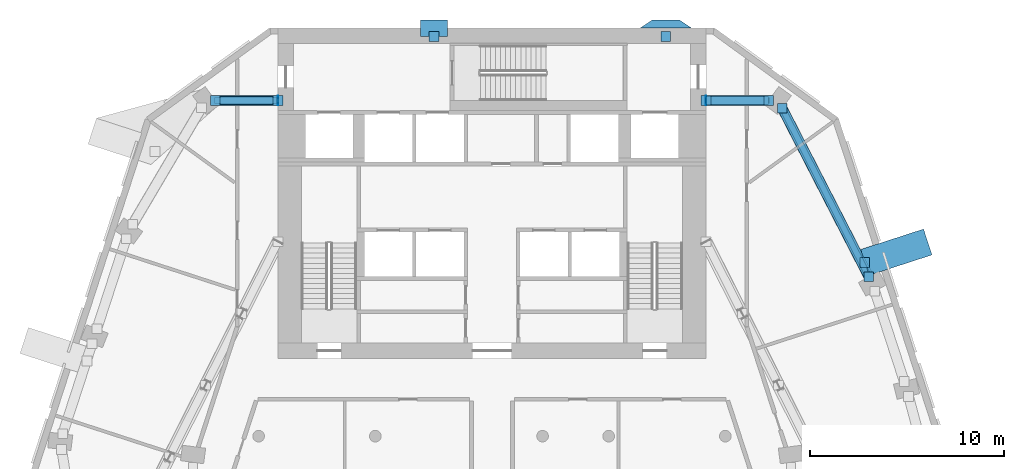
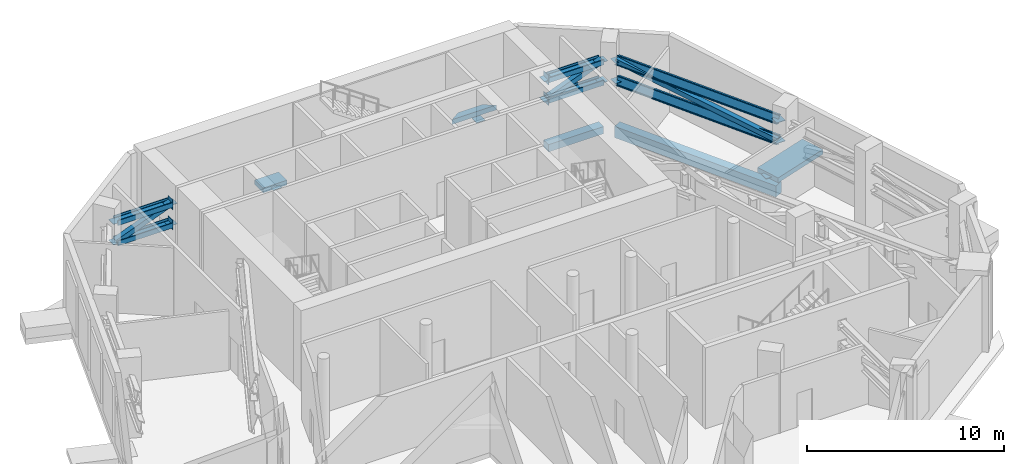
# One storey, part 6 of 16: 19 discrete accessories, 12 members, 2 beams.
"""IFC4 building model written with IfcOpenShell, lengths in metres."""

from ifc_helpers import new_model, si_unit, direction, frame, origin, origin_2d, place, context, subcontext, project, spatial, polyline, rectangle, hollow_rectangle, i_section, outline, extrude, material, layer, layer_set, material_profile, profile_set, type_object, element, aggregate, save


model = new_model("IFC4")

# Units and contexts
model_context = context("Model", 3, precision=1e-05, world=origin(), true_north=direction((0.0, 1.0)))
body_context = subcontext(model_context, "Body", "Model", "MODEL_VIEW")
ifc_project = project(units=[si_unit("LENGTHUNIT", "METRE"), si_unit("AREAUNIT", "SQUARE_METRE"), si_unit("VOLUMEUNIT", "CUBIC_METRE"), si_unit("PLANEANGLEUNIT", "RADIAN"), si_unit("MASSUNIT", "GRAM", prefix="KILO")], contexts=[model_context])

# Site, building, storey
site_placement = place(None, origin())
site = spatial("IfcSite", under=ifc_project, at=site_placement, CompositionType="ELEMENT")
building_placement = place(site_placement, origin())
building = spatial("IfcBuilding", under=site, at=building_placement, Name="White Candle Pilgrim Tower", CompositionType="ELEMENT")
storey_placement = place(building_placement, frame((0.0, 0.0, 243.300048828125)))
storey = spatial("IfcBuildingStorey", under=building, at=storey_placement, Name="L57", CompositionType="ELEMENT", Elevation=243.300048828125)

# Member
ifc_material_1 = material(Name="Steel S355", Category="steel")
ifc_material_profile_1 = material_profile(ifc_material_1, i_section(OverallWidth=0.305908203125, OverallDepth=0.52392578125, WebThickness=0.02099609375, FlangeThickness=0.0400390625, FilletRadius=0.027099609375, at=origin_2d()), Name="HEM 500")
ifc_profile_set_1 = profile_set([ifc_material_profile_1], Name="Steel S355")
member_type_1 = type_object("IfcMemberType", Name="Belt truss chord HEM 500 S355", PredefinedType="CHORD", material=ifc_profile_set_1)
member_1_placement = place(storey_placement, frame((89.377197265625, 75.196044921875, 2.411865234375), z_axis=(-0.457020130081, 0.889456351206, 0.0), x_axis=(0.791138263688, 0.406502367083, -0.457007738759)))
member_1 = element("IfcMember", 1, at=member_1_placement, inside=storey, type_object=member_type_1, Name="L57 belt truss bottom chord 09", PredefinedType="CHORD", context=body_context, shape_type="SweptSolid", body=[
    extrude(i_section(OverallWidth=0.305908203125, OverallDepth=0.52392578125, WebThickness=0.02099609375, FlangeThickness=0.0400390625, FilletRadius=0.027099609375, at=origin_2d()), origin(), (0.0, 0.0, 1.0), 9.7421875),
])

member_2_placement = place(storey_placement, frame((89.377197265625, 75.196044921875, 3.677978515625), z_axis=(-0.457020130081, 0.889456351206, 0.0), x_axis=(0.791138263688, 0.406502367083, -0.457007738759)))
member_2 = element("IfcMember", 2, at=member_2_placement, inside=storey, type_object=member_type_1, Name="L57 belt truss top chord 09", PredefinedType="CHORD", context=body_context, shape_type="SweptSolid", body=[
    extrude(i_section(OverallWidth=0.305908203125, OverallDepth=0.52392578125, WebThickness=0.02099609375, FlangeThickness=0.0400390625, FilletRadius=0.027099609375, at=origin_2d()), origin(), (0.0, 0.0, 1.0), 9.7421875),
])

member_3_placement = place(storey_placement, frame((84.2255859375, 84.260009765625, 2.411865234375), z_axis=(-1.0, 0.0, 0.0), x_axis=(0.0, 0.0, -1.0)))
member_3 = element("IfcMember", 3, at=member_3_placement, inside=storey, type_object=member_type_1, Name="L57 belt truss bottom chord 10", PredefinedType="CHORD", context=body_context, shape_type="SweptSolid", body=[
    extrude(i_section(OverallWidth=0.305908203125, OverallDepth=0.52392578125, WebThickness=0.02099609375, FlangeThickness=0.0400390625, FilletRadius=0.027099609375, at=origin_2d()), origin(), (0.0, 0.0, 1.0), 3.2255859375),
])

member_4_placement = place(storey_placement, frame((84.2255859375, 84.260009765625, 3.677978515625), z_axis=(-1.0, 0.0, 0.0), x_axis=(0.0, 0.0, -1.0)))
member_4 = element("IfcMember", 4, at=member_4_placement, inside=storey, type_object=member_type_1, Name="L57 belt truss top chord 10", PredefinedType="CHORD", context=body_context, shape_type="SweptSolid", body=[
    extrude(i_section(OverallWidth=0.305908203125, OverallDepth=0.52392578125, WebThickness=0.02099609375, FlangeThickness=0.0400390625, FilletRadius=0.027099609375, at=origin_2d()), origin(), (0.0, 0.0, 1.0), 3.2255859375),
])

member_5_placement = place(storey_placement, frame((55.7744140625, 84.260009765625, 2.411865234375), z_axis=(1.0, 0.0, 0.0), x_axis=(0.0, 0.0, 1.0)))
member_5 = element("IfcMember", 5, at=member_5_placement, inside=storey, type_object=member_type_1, Name="L57 belt truss bottom chord 11", PredefinedType="CHORD", context=body_context, shape_type="SweptSolid", body=[
    extrude(i_section(OverallWidth=0.305908203125, OverallDepth=0.52392578125, WebThickness=0.02099609375, FlangeThickness=0.0400390625, FilletRadius=0.027099609375, at=origin_2d()), origin(), (0.0, 0.0, 1.0), 3.2255859375),
])

member_6_placement = place(storey_placement, frame((55.7744140625, 84.260009765625, 3.677978515625), z_axis=(1.0, 0.0, 0.0), x_axis=(0.0, 0.0, 1.0)))
member_6 = element("IfcMember", 6, at=member_6_placement, inside=storey, type_object=member_type_1, Name="L57 belt truss top chord 11", PredefinedType="CHORD", context=body_context, shape_type="SweptSolid", body=[
    extrude(i_section(OverallWidth=0.305908203125, OverallDepth=0.52392578125, WebThickness=0.02099609375, FlangeThickness=0.0400390625, FilletRadius=0.027099609375, at=origin_2d()), origin(), (0.0, 0.0, 1.0), 3.2255859375),
])

# Members
ifc_material_profile_2 = material_profile(ifc_material_1, hollow_rectangle(XDim=0.300048828125, YDim=0.300048828125, WallThickness=0.01611328125, at=origin_2d()), Name="SHS 300x300x16")
ifc_profile_set_2 = profile_set([ifc_material_profile_2], Name="Steel S355")
member_type_2 = type_object("IfcMemberType", Name="Belt truss diagonal SHS 300x300x16 S355", PredefinedType="BRACE", material=ifc_profile_set_2)
member_7_placement = place(storey_placement, frame((89.377197265625, 75.196044921875, 2.411865234375), z_axis=(-0.453208814225, 0.882038736814, 0.128877606545), x_axis=(-0.889456351206, -0.457020130081, 0.0)))
element("IfcMember", 7, at=member_7_placement, inside=storey, type_object=member_type_2, Name="L57 belt truss diagonal 09", PredefinedType="BRACE", context=body_context, shape_type="SweptSolid", body=[
    extrude(hollow_rectangle(XDim=0.300048828125, YDim=0.300048828125, WallThickness=0.01611328125, at=origin_2d()), origin(), (0.0, 0.0, 1.0), 9.82421875),
])
for number, where, z_axis, x_axis, name in (
    (8, (84.2255859375, 84.260009765625, 3.677978515625), (-0.930857643427, 0.0, -0.365382057131), (0.0, -1.0, 0.0), "L57 belt truss diagonal 10"),
    (9, (55.7744140625, 84.260009765625, 2.411865234375), (0.930857643427, 0.0, 0.365382057131), (0.0, 1.0, 0.0), "L57 belt truss diagonal 11"),
):
    element("IfcMember", number, at=place(storey_placement, frame(where, z_axis=z_axis, x_axis=x_axis)), inside=storey, type_object=member_type_2, Name=name, PredefinedType="BRACE", context=body_context, shape_type="SweptSolid", body=[
        extrude(hollow_rectangle(XDim=0.300048828125, YDim=0.300048828125, WallThickness=0.01611328125, at=origin_2d()), origin(), (0.0, 0.0, 1.0), 3.465087890625),
    ])

# Member
ifc_material_2 = material(Name="Concrete C70/85, white", Category="concrete")
ifc_layer_1 = layer(ifc_material_2, 0.300048828125)
ifc_layer_set_1 = layer_set([ifc_layer_1], Name="Node tie strut 3400x1400x300 C70/85")
member_type_3 = type_object("IfcMemberType", Name="Node tie strut 3400x1400x300 C70/85", PredefinedType="STRUT", material=ifc_layer_set_1)
member_8_placement = place(storey_placement, frame((90.79150390625, 76.459716796875, -0.30029296875), z_axis=(0.0, 0.0, 1.0), x_axis=(-0.309016994375, 0.951056516295, 0.0)))
member_8 = element("IfcMember", 10, at=member_8_placement, inside=storey, type_object=member_type_3, Name="Node tie strut NC193", PredefinedType="STRUT", context=body_context, shape_type="SweptSolid", body=[
    extrude(rectangle(XDim=1.39990234375, YDim=3.39990234375, at=origin_2d()), origin(), (0.0, 0.0, 1.0), 0.300048828125),
])

ifc_layer_2 = layer(ifc_material_2, 0.300048828125)
ifc_layer_set_2 = layer_set([ifc_layer_2], Name="Node tie strut 850x1400x300 C70/85")
member_type_4 = type_object("IfcMemberType", Name="Node tie strut 850x1400x300 C70/85", PredefinedType="STRUT", material=ifc_layer_set_2)
member_9_placement = place(storey_placement, frame((0.0, 0.0, -0.300048828125)))
member_9 = element("IfcMember", 11, at=member_9_placement, inside=storey, type_object=member_type_4, Name="Node tie strut NC194", PredefinedType="STRUT", context=body_context, shape_type="SweptSolid", body=[
    extrude(outline(polyline([(77.636962890625, 88.0), (80.237060546875, 88.0), (79.636962890625, 88.39990234375), (78.237060546875, 88.39990234375), (77.636962890625, 88.0)])), origin(), (0.0, 0.0, 1.0), 0.300048828125),
])

member_10_placement = place(storey_placement, frame((67.02099609375, 87.97509765625, -0.30029296875), z_axis=(0.0, 0.0, 1.0), x_axis=(-1.0, 0.0, 0.0)))
member_10 = element("IfcMember", 12, at=member_10_placement, inside=storey, type_object=member_type_4, Name="Node tie strut NC195", PredefinedType="STRUT", context=body_context, shape_type="SweptSolid", body=[
    extrude(rectangle(XDim=1.39990234375, YDim=0.85009765625, at=origin_2d()), origin(), (0.0, 0.0, 1.0), 0.300048828125),
])

# Beams
ifc_material_3 = material(Name="Concrete C50/60", Category="concrete")
ifc_material_profile_3 = material_profile(ifc_material_3, rectangle(XDim=0.5, YDim=0.449951171875, at=origin_2d()), Name="RC-BM 500x450")
ifc_profile_set_3 = profile_set([ifc_material_profile_3], Name="Concrete C50/60")
beam_type_1 = type_object("IfcBeamType", Name="Spandrel beam RC-BM 500x450 C50/60", PredefinedType="BEAM", material=ifc_profile_set_3)
beam_1_placement = place(storey_placement, frame((84.2255859375, 84.260009765625, -0.525146484375), z_axis=(-1.0, 0.0, 0.0), x_axis=(0.0, -1.0, 0.0)))
element("IfcBeam", 13, at=beam_1_placement, inside=storey, type_object=beam_type_1, Name="L57 spandrel beam T10", PredefinedType="BEAM", context=body_context, shape_type="SweptSolid", body=[
    extrude(rectangle(XDim=0.5, YDim=0.449951171875, at=origin_2d()), origin(), (0.0, 0.0, 1.0), 3.2255859375),
])
ifc_material_profile_4 = material_profile(ifc_material_3, rectangle(XDim=0.5, YDim=0.699951171875, at=origin_2d()), Name="RC-BM 500x700")
ifc_profile_set_4 = profile_set([ifc_material_profile_4], Name="Concrete C50/60")
beam_type_2 = type_object("IfcBeamType", Name="Spandrel beam RC-BM 500x700 C50/60", PredefinedType="BEAM", material=ifc_profile_set_4)
beam_2_placement = place(storey_placement, frame((89.377197265625, 75.196044921875, -0.650146484375), z_axis=(-0.457020130081, 0.889456351206, 0.0), x_axis=(-0.889456351206, -0.457020130081, 0.0)))
element("IfcBeam", 14, at=beam_2_placement, inside=storey, type_object=beam_type_2, Name="L57 spandrel beam T09", PredefinedType="BEAM", context=body_context, shape_type="SweptSolid", body=[
    extrude(rectangle(XDim=0.5, YDim=0.699951171875, at=origin_2d()), origin(), (0.0, 0.0, 1.0), 9.7421875),
])

# Discrete accessory
ifc_layer_3 = layer(ifc_material_1, 0.030029296875)
ifc_layer_set_3 = layer_set([ifc_layer_3], Name="Cast-in plate 500x600x30 S355")
discrete_accessory_type_1 = type_object("IfcDiscreteAccessoryType", Name="Cast-in plate 500x600x30 S355", PredefinedType="ANCHORPLATE", material=ifc_layer_set_3)
discrete_accessory_1_placement = place(storey_placement, frame((81.0, 84.260009765625, 2.11181640625), z_axis=(0.0, 0.0, 1.0), x_axis=(1.0, 0.0, 0.0)))
discrete_accessory_1 = element("IfcDiscreteAccessory", 15, at=discrete_accessory_1_placement, type_object=discrete_accessory_type_1, Name="Cast-in plate 0029", PredefinedType="ANCHORPLATE", context=body_context, shape_type="SweptSolid", body=[
    extrude(rectangle(XDim=0.030029296875, YDim=0.5, at=origin_2d()), origin(), (0.0, 0.0, 1.0), 0.60009765625),
])

discrete_accessory_2_placement = place(storey_placement, frame((81.0, 84.260009765625, 3.3779296875), z_axis=(0.0, 0.0, 1.0), x_axis=(1.0, 0.0, 0.0)))
discrete_accessory_2 = element("IfcDiscreteAccessory", 16, at=discrete_accessory_2_placement, type_object=discrete_accessory_type_1, Name="Cast-in plate 0030", PredefinedType="ANCHORPLATE", context=body_context, shape_type="SweptSolid", body=[
    extrude(rectangle(XDim=0.030029296875, YDim=0.5, at=origin_2d()), origin(), (0.0, 0.0, 1.0), 0.60009765625),
])

discrete_accessory_3_placement = place(storey_placement, frame((59.0, 84.260009765625, 2.11181640625), z_axis=(0.0, 0.0, 1.0), x_axis=(-1.0, 0.0, 0.0)))
discrete_accessory_3 = element("IfcDiscreteAccessory", 17, at=discrete_accessory_3_placement, type_object=discrete_accessory_type_1, Name="Cast-in plate 0031", PredefinedType="ANCHORPLATE", context=body_context, shape_type="SweptSolid", body=[
    extrude(rectangle(XDim=0.030029296875, YDim=0.5, at=origin_2d()), origin(), (0.0, 0.0, 1.0), 0.60009765625),
])

discrete_accessory_4_placement = place(storey_placement, frame((59.0, 84.260009765625, 3.3779296875), z_axis=(0.0, 0.0, 1.0), x_axis=(-1.0, 0.0, 0.0)))
discrete_accessory_4 = element("IfcDiscreteAccessory", 18, at=discrete_accessory_4_placement, type_object=discrete_accessory_type_1, Name="Cast-in plate 0032", PredefinedType="ANCHORPLATE", context=body_context, shape_type="SweptSolid", body=[
    extrude(rectangle(XDim=0.030029296875, YDim=0.5, at=origin_2d()), origin(), (0.0, 0.0, 1.0), 0.60009765625),
])

ifc_layer_4 = layer(ifc_material_1, 0.02490234375)
ifc_layer_set_4 = layer_set([ifc_layer_4], Name="Gusset plate 500x500x25 S355")
discrete_accessory_type_2 = type_object("IfcDiscreteAccessoryType", Name="Gusset plate 500x500x25 S355", PredefinedType="BRACKET", material=ifc_layer_set_4)
discrete_accessory_5_placement = place(storey_placement, frame((89.1748046875, 75.9345703125, -0.16259765625), z_axis=(0.0, 0.0, 1.0), x_axis=(1.0, 0.0, 0.0)))
discrete_accessory_5 = element("IfcDiscreteAccessory", 19, at=discrete_accessory_5_placement, type_object=discrete_accessory_type_2, Name="Gusset plate 0574", PredefinedType="BRACKET", context=body_context, shape_type="SweptSolid", body=[
    extrude(rectangle(XDim=0.5, YDim=0.5, at=origin_2d()), origin(), (0.0, 0.0, 1.0), 0.02490234375),
])

aggregate(member_8, [discrete_accessory_5])

discrete_accessory_6_placement = place(storey_placement, frame((78.93701171875, 87.550048828125, -0.16259765625), z_axis=(0.0, 0.0, 1.0), x_axis=(1.0, 0.0, 0.0)))
discrete_accessory_6 = element("IfcDiscreteAccessory", 20, at=discrete_accessory_6_placement, type_object=discrete_accessory_type_2, Name="Gusset plate 0575", PredefinedType="BRACKET", context=body_context, shape_type="SweptSolid", body=[
    extrude(rectangle(XDim=0.5, YDim=0.5, at=origin_2d()), origin(), (0.0, 0.0, 1.0), 0.02490234375),
])

aggregate(member_9, [discrete_accessory_6])

discrete_accessory_7_placement = place(storey_placement, frame((67.02099609375, 87.550048828125, -0.16259765625), z_axis=(0.0, 0.0, 1.0), x_axis=(1.0, 0.0, 0.0)))
discrete_accessory_7 = element("IfcDiscreteAccessory", 21, at=discrete_accessory_7_placement, type_object=discrete_accessory_type_2, Name="Gusset plate 0576", PredefinedType="BRACKET", context=body_context, shape_type="SweptSolid", body=[
    extrude(rectangle(XDim=0.5, YDim=0.5, at=origin_2d()), origin(), (0.0, 0.0, 1.0), 0.02490234375),
])

aggregate(member_10, [discrete_accessory_7])

discrete_accessory_8_placement = place(storey_placement, frame((89.377197265625, 75.196044921875, 2.3994140625), z_axis=(0.0, 0.0, 1.0), x_axis=(1.0, 0.0, 0.0)))
discrete_accessory_8 = element("IfcDiscreteAccessory", 22, at=discrete_accessory_8_placement, type_object=discrete_accessory_type_2, Name="Gusset plate 0870", PredefinedType="BRACKET", context=body_context, shape_type="SweptSolid", body=[
    extrude(rectangle(XDim=0.5, YDim=0.5, at=origin_2d()), origin(), (0.0, 0.0, 1.0), 0.02490234375),
])

discrete_accessory_9_placement = place(storey_placement, frame((84.9248046875, 83.861328125, 2.3994140625), z_axis=(0.0, 0.0, 1.0), x_axis=(1.0, 0.0, 0.0)))
discrete_accessory_9 = element("IfcDiscreteAccessory", 23, at=discrete_accessory_9_placement, type_object=discrete_accessory_type_2, Name="Gusset plate 0871", PredefinedType="BRACKET", context=body_context, shape_type="SweptSolid", body=[
    extrude(rectangle(XDim=0.5, YDim=0.5, at=origin_2d()), origin(), (0.0, 0.0, 1.0), 0.02490234375),
])

aggregate(member_1, [discrete_accessory_8, discrete_accessory_9])

discrete_accessory_10_placement = place(storey_placement, frame((89.377197265625, 75.196044921875, 3.66552734375), z_axis=(0.0, 0.0, 1.0), x_axis=(1.0, 0.0, 0.0)))
discrete_accessory_10 = element("IfcDiscreteAccessory", 24, at=discrete_accessory_10_placement, type_object=discrete_accessory_type_2, Name="Gusset plate 0872", PredefinedType="BRACKET", context=body_context, shape_type="SweptSolid", body=[
    extrude(rectangle(XDim=0.5, YDim=0.5, at=origin_2d()), origin(), (0.0, 0.0, 1.0), 0.02490234375),
])

discrete_accessory_11_placement = place(storey_placement, frame((84.9248046875, 83.861328125, 3.66552734375), z_axis=(0.0, 0.0, 1.0), x_axis=(1.0, 0.0, 0.0)))
discrete_accessory_11 = element("IfcDiscreteAccessory", 25, at=discrete_accessory_11_placement, type_object=discrete_accessory_type_2, Name="Gusset plate 0873", PredefinedType="BRACKET", context=body_context, shape_type="SweptSolid", body=[
    extrude(rectangle(XDim=0.5, YDim=0.5, at=origin_2d()), origin(), (0.0, 0.0, 1.0), 0.02490234375),
])

aggregate(member_2, [discrete_accessory_10, discrete_accessory_11])

discrete_accessory_12_placement = place(storey_placement, frame((84.2255859375, 84.260009765625, 2.3994140625), z_axis=(0.0, 0.0, 1.0), x_axis=(1.0, 0.0, 0.0)))
discrete_accessory_12 = element("IfcDiscreteAccessory", 26, at=discrete_accessory_12_placement, type_object=discrete_accessory_type_2, Name="Gusset plate 0874", PredefinedType="BRACKET", context=body_context, shape_type="SweptSolid", body=[
    extrude(rectangle(XDim=0.5, YDim=0.5, at=origin_2d()), origin(), (0.0, 0.0, 1.0), 0.02490234375),
])

discrete_accessory_13_placement = place(storey_placement, frame((81.0, 84.260009765625, 2.3994140625), z_axis=(0.0, 0.0, 1.0), x_axis=(1.0, 0.0, 0.0)))
discrete_accessory_13 = element("IfcDiscreteAccessory", 27, at=discrete_accessory_13_placement, type_object=discrete_accessory_type_2, Name="Gusset plate 0875", PredefinedType="BRACKET", context=body_context, shape_type="SweptSolid", body=[
    extrude(rectangle(XDim=0.5, YDim=0.5, at=origin_2d()), origin(), (0.0, 0.0, 1.0), 0.02490234375),
])

aggregate(member_3, [discrete_accessory_12, discrete_accessory_13, discrete_accessory_1])

discrete_accessory_14_placement = place(storey_placement, frame((84.2255859375, 84.260009765625, 3.66552734375), z_axis=(0.0, 0.0, 1.0), x_axis=(1.0, 0.0, 0.0)))
discrete_accessory_14 = element("IfcDiscreteAccessory", 28, at=discrete_accessory_14_placement, type_object=discrete_accessory_type_2, Name="Gusset plate 0876", PredefinedType="BRACKET", context=body_context, shape_type="SweptSolid", body=[
    extrude(rectangle(XDim=0.5, YDim=0.5, at=origin_2d()), origin(), (0.0, 0.0, 1.0), 0.02490234375),
])

discrete_accessory_15_placement = place(storey_placement, frame((81.0, 84.260009765625, 3.66552734375), z_axis=(0.0, 0.0, 1.0), x_axis=(1.0, 0.0, 0.0)))
discrete_accessory_15 = element("IfcDiscreteAccessory", 29, at=discrete_accessory_15_placement, type_object=discrete_accessory_type_2, Name="Gusset plate 0877", PredefinedType="BRACKET", context=body_context, shape_type="SweptSolid", body=[
    extrude(rectangle(XDim=0.5, YDim=0.5, at=origin_2d()), origin(), (0.0, 0.0, 1.0), 0.02490234375),
])

aggregate(member_4, [discrete_accessory_14, discrete_accessory_15, discrete_accessory_2])

discrete_accessory_16_placement = place(storey_placement, frame((55.7744140625, 84.260009765625, 2.3994140625), z_axis=(0.0, 0.0, 1.0), x_axis=(1.0, 0.0, 0.0)))
discrete_accessory_16 = element("IfcDiscreteAccessory", 30, at=discrete_accessory_16_placement, type_object=discrete_accessory_type_2, Name="Gusset plate 0878", PredefinedType="BRACKET", context=body_context, shape_type="SweptSolid", body=[
    extrude(rectangle(XDim=0.5, YDim=0.5, at=origin_2d()), origin(), (0.0, 0.0, 1.0), 0.02490234375),
])

discrete_accessory_17_placement = place(storey_placement, frame((59.0, 84.260009765625, 2.3994140625), z_axis=(0.0, 0.0, 1.0), x_axis=(1.0, 0.0, 0.0)))
discrete_accessory_17 = element("IfcDiscreteAccessory", 31, at=discrete_accessory_17_placement, type_object=discrete_accessory_type_2, Name="Gusset plate 0879", PredefinedType="BRACKET", context=body_context, shape_type="SweptSolid", body=[
    extrude(rectangle(XDim=0.5, YDim=0.5, at=origin_2d()), origin(), (0.0, 0.0, 1.0), 0.02490234375),
])

aggregate(member_5, [discrete_accessory_16, discrete_accessory_17, discrete_accessory_3])

discrete_accessory_18_placement = place(storey_placement, frame((55.7744140625, 84.260009765625, 3.66552734375), z_axis=(0.0, 0.0, 1.0), x_axis=(1.0, 0.0, 0.0)))
discrete_accessory_18 = element("IfcDiscreteAccessory", 32, at=discrete_accessory_18_placement, type_object=discrete_accessory_type_2, Name="Gusset plate 0880", PredefinedType="BRACKET", context=body_context, shape_type="SweptSolid", body=[
    extrude(rectangle(XDim=0.5, YDim=0.5, at=origin_2d()), origin(), (0.0, 0.0, 1.0), 0.02490234375),
])

discrete_accessory_19_placement = place(storey_placement, frame((59.0, 84.260009765625, 3.66552734375), z_axis=(0.0, 0.0, 1.0), x_axis=(1.0, 0.0, 0.0)))
discrete_accessory_19 = element("IfcDiscreteAccessory", 33, at=discrete_accessory_19_placement, type_object=discrete_accessory_type_2, Name="Gusset plate 0881", PredefinedType="BRACKET", context=body_context, shape_type="SweptSolid", body=[
    extrude(rectangle(XDim=0.5, YDim=0.5, at=origin_2d()), origin(), (0.0, 0.0, 1.0), 0.02490234375),
])

aggregate(member_6, [discrete_accessory_18, discrete_accessory_19, discrete_accessory_4])

save(model, "model.ifc")
